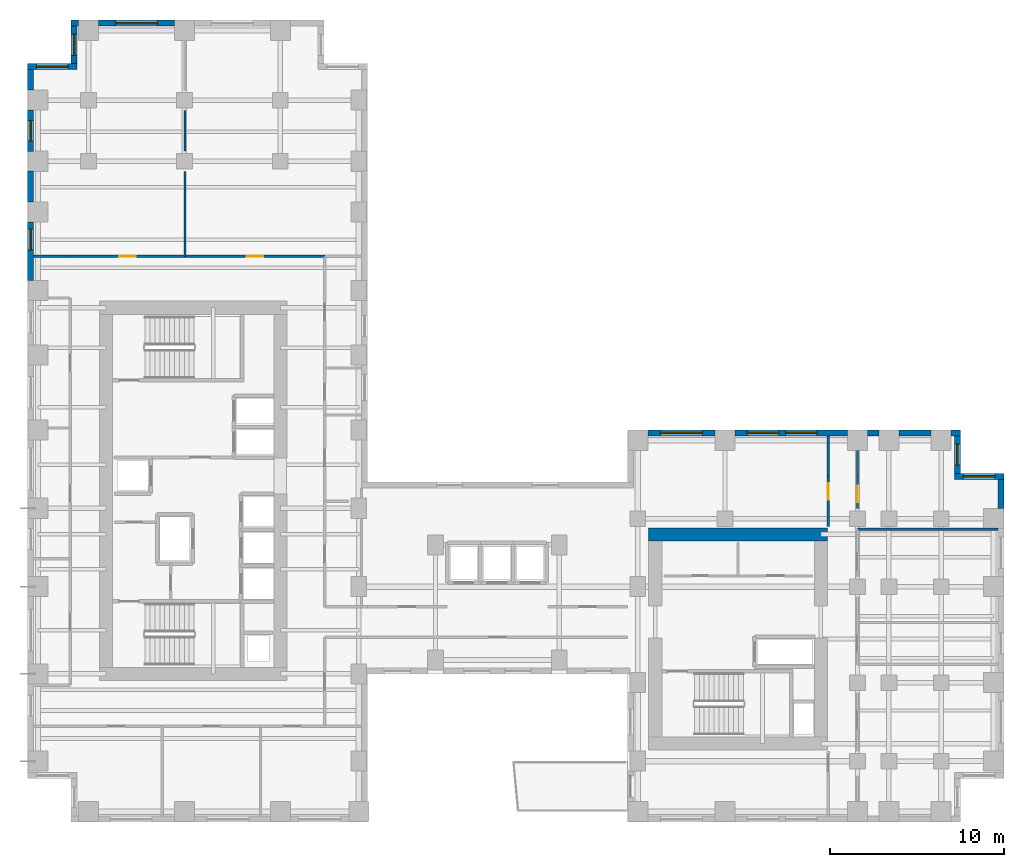
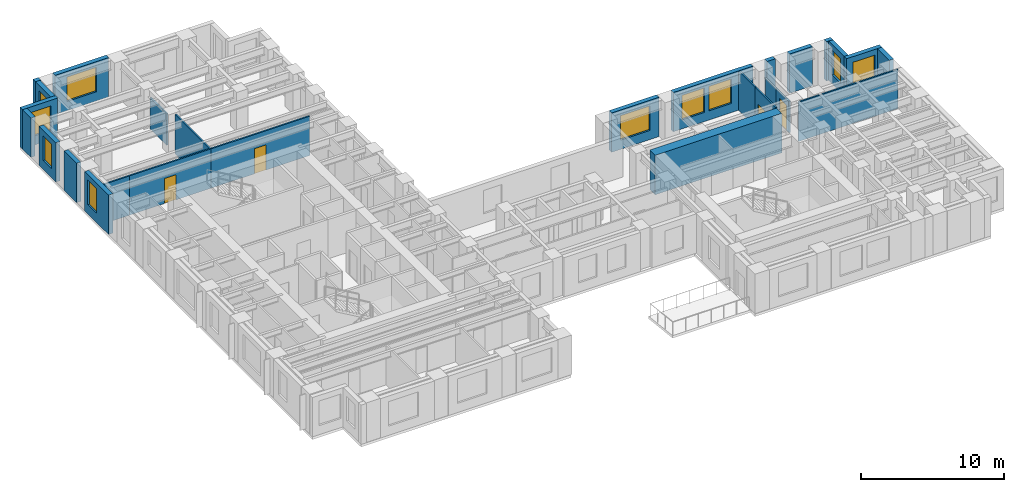
# One storey, part 8 of 12: 27 walls, 10 windows, 4 doors, 14 openings.
"""IFC4 building model written with IfcOpenShell, lengths in metres."""

from ifc_helpers import new_model, si_unit, direction, frame, frame_2d, origin, place, context, subcontext, project, spatial, rectangle, extrude, source, transform, mapped, material, layer, layer_set, type_object, element, fill, save


model = new_model("IFC4")

# Units and contexts
model_context = context("Model", 3, precision=1e-05, world=origin(), true_north=direction((0.0, 1.0)))
body_context = subcontext(model_context, "Body", "Model", "MODEL_VIEW")
ifc_project = project(units=[si_unit("LENGTHUNIT", "METRE"), si_unit("AREAUNIT", "SQUARE_METRE"), si_unit("VOLUMEUNIT", "CUBIC_METRE"), si_unit("PLANEANGLEUNIT", "RADIAN"), si_unit("MASSUNIT", "GRAM", prefix="KILO")], contexts=[model_context])

# Site, building, storey
site_placement = place(None, origin())
site = spatial("IfcSite", under=ifc_project, at=site_placement, CompositionType="ELEMENT")
building_placement = place(site_placement, origin())
building = spatial("IfcBuilding", under=site, at=building_placement, Name="Kharzan Plaza Tower", CompositionType="ELEMENT")
storey_placement = place(building_placement, frame((0.0, 0.0, 106.199951171875)))
storey = spatial("IfcBuildingStorey", under=building, at=storey_placement, Name="L28", CompositionType="ELEMENT", Elevation=106.199951171875)

# Wall, opening, window
ifc_material_1 = material(Name="Concrete C40/50", Category="concrete")
ifc_layer_1 = layer(ifc_material_1, 0.35009765625)
ifc_layer_set_1 = layer_set([ifc_layer_1], Name="Concrete C40/50")
wall_type_1 = type_object("IfcWallType", Name="WL-EXT-MAS-Z2", PredefinedType="SOLIDWALL", material=ifc_layer_set_1)
wall_1_placement = place(storey_placement, frame((8.427001953125, 45.824951171875, 0.0), z_axis=(0.0, 0.0, 1.0), x_axis=(-1.0, 0.0, 0.0)))
wall_1 = element("IfcWall", 1, at=wall_1_placement, inside=storey, type_object=wall_type_1, Name="L28 Masonry-Frame Exterior Wall 12", PredefinedType="SOLIDWALL", context=body_context, shape_type="SweptSolid", body=[
    extrude(rectangle(XDim=4.35400390625, YDim=0.35009765625, at=frame_2d((2.177001953125, 0.0))), origin(), (0.0, 0.0, 1.0), 3.364990234375),
])
opening_1_placement = place(wall_1_placement, frame((0.97705078125, 0.0, 0.780029296875)))
opening_1 = element("IfcOpeningElement", 2, at=opening_1_placement, cuts=wall_1, Name="Opening W2", PredefinedType="OPENING", context=body_context, shape_type="SweptSolid", body=[
    extrude(rectangle(XDim=2.39990234375, YDim=2.10009765625, at=frame_2d((1.199951171875, 1.050048828125))), frame((0.0, 0.18505859375, 0.0), z_axis=(0.0, -1.0, 0.0), x_axis=(1.0, 0.0, 0.0)), (0.0, 0.0, 1.0), 0.3701171875),
])
ifc_material_2 = material(Name="Low-E Double Glazing", Category="glass")
window_type_1 = type_object("IfcWindowType", Name="WN-REC-2400x2100", PartitioningType="SINGLE_PANEL", PredefinedType="WINDOW", material=ifc_material_2)
shared_shape_1 = source(origin(), body_context, "Body", "SweptSolid", [
    extrude(rectangle(XDim=2.39990234375, YDim=2.10009765625, at=frame_2d((1.199951171875, 1.050048828125))), frame((0.0, 0.030029296875, 0.0), z_axis=(0.0, -1.0, 0.0), x_axis=(1.0, 0.0, 0.0)), (0.0, 0.0, 1.0), 0.06005859375),
])
window_1_placement = place(opening_1_placement, origin())
window_1 = element("IfcWindow", 3, at=window_1_placement, inside=storey, type_object=window_type_1, Name="L28 Wide Recessed Solar-Control Window 12-1", OverallHeight=2.10009765625, OverallWidth=2.39990234375, PartitioningType="SINGLE_PANEL", PredefinedType="WINDOW", context=body_context, shape_type="MappedRepresentation", body=[
    mapped(shared_shape_1, transform((0.0, 0.0, 0.0), x_axis=(1.0, 0.0, 0.0), y_axis=(0.0, 1.0, 0.0), z_axis=(0.0, 0.0, 1.0))),
])
fill(opening_1, window_1)

wall_2_placement = place(storey_placement, frame((2.675048828125, 45.652099609375, 0.0), z_axis=(0.0, 0.0, 1.0), x_axis=(0.0, -1.0, 0.0)))
wall_2 = element("IfcWall", 4, at=wall_2_placement, inside=storey, type_object=wall_type_1, Name="L28 Masonry-Frame Exterior Wall 14", PredefinedType="SOLIDWALL", context=body_context, shape_type="SweptSolid", body=[
    extrude(rectangle(XDim=2.154052734375, YDim=0.35009765625, at=frame_2d((1.0771484375, 0.0))), origin(), (0.0, 0.0, 1.0), 3.364990234375),
])
opening_2_placement = place(wall_2_placement, frame((0.47705078125, 0.0, 0.780029296875)))
opening_2 = element("IfcOpeningElement", 5, at=opening_2_placement, cuts=wall_2, Name="Opening W3", PredefinedType="OPENING", context=body_context, shape_type="SweptSolid", body=[
    extrude(rectangle(XDim=1.199951171875, YDim=2.10009765625, at=frame_2d((0.60009765625, 1.050048828125))), frame((0.0, 0.18505859375, 0.0), z_axis=(0.0, -1.0, 0.0), x_axis=(1.0, 0.0, 0.0)), (0.0, 0.0, 1.0), 0.3701171875),
])
window_type_2 = type_object("IfcWindowType", Name="WN-REC-1200x2100", PartitioningType="SINGLE_PANEL", PredefinedType="WINDOW", material=ifc_material_2)
shared_shape_2 = source(origin(), body_context, "Body", "SweptSolid", [
    extrude(rectangle(XDim=1.199951171875, YDim=2.10009765625, at=frame_2d((0.60009765625, 1.050048828125))), frame((0.0, 0.030029296875, 0.0), z_axis=(0.0, -1.0, 0.0), x_axis=(1.0, 0.0, 0.0)), (0.0, 0.0, 1.0), 0.06005859375),
])
window_2_placement = place(opening_2_placement, origin())
window_2 = element("IfcWindow", 6, at=window_2_placement, inside=storey, type_object=window_type_2, Name="L28 Recessed Solar-Control Window 14-1", OverallHeight=2.10009765625, OverallWidth=1.199951171875, PartitioningType="SINGLE_PANEL", PredefinedType="WINDOW", context=body_context, shape_type="MappedRepresentation", body=[
    mapped(shared_shape_2, transform((0.0, 0.0, 0.0), x_axis=(1.0, 0.0, 0.0), y_axis=(0.0, 1.0, 0.0), z_axis=(0.0, 0.0, 1.0))),
])
fill(opening_2, window_2)

wall_3_placement = place(storey_placement, frame((2.85009765625, 43.324951171875, 0.0), z_axis=(0.0, 0.0, 1.0), x_axis=(-1.0, 0.0, 0.0)))
wall_3 = element("IfcWall", 7, at=wall_3_placement, inside=storey, type_object=wall_type_1, Name="L28 Masonry-Frame Exterior Wall 15", PredefinedType="SOLIDWALL", context=body_context, shape_type="SweptSolid", body=[
    extrude(rectangle(XDim=2.85009765625, YDim=0.35009765625, at=frame_2d((1.425048828125, 0.0))), origin(), (0.0, 0.0, 1.0), 3.364990234375),
])
opening_3_placement = place(wall_3_placement, frame((0.52490234375, 0.0, 0.780029296875)))
opening_3 = element("IfcOpeningElement", 8, at=opening_3_placement, cuts=wall_3, Name="Opening W1", PredefinedType="OPENING", context=body_context, shape_type="SweptSolid", body=[
    extrude(rectangle(XDim=1.800048828125, YDim=2.10009765625, at=frame_2d((0.89990234375, 1.050048828125))), frame((0.0, 0.18505859375, 0.0), z_axis=(0.0, -1.0, 0.0), x_axis=(1.0, 0.0, 0.0)), (0.0, 0.0, 1.0), 0.3701171875),
])
window_type_3 = type_object("IfcWindowType", Name="WN-REC-1800x2100", PartitioningType="SINGLE_PANEL", PredefinedType="WINDOW", material=ifc_material_2)
shared_shape_3 = source(origin(), body_context, "Body", "SweptSolid", [
    extrude(rectangle(XDim=1.800048828125, YDim=2.10009765625, at=frame_2d((0.89990234375, 1.050048828125))), frame((0.0, 0.030029296875, 0.0), z_axis=(0.0, -1.0, 0.0), x_axis=(1.0, 0.0, 0.0)), (0.0, 0.0, 1.0), 0.06005859375),
])
window_3_placement = place(opening_3_placement, origin())
window_3 = element("IfcWindow", 9, at=window_3_placement, inside=storey, type_object=window_type_3, Name="L28 Recessed Solar-Control Window 15-1", OverallHeight=2.10009765625, OverallWidth=1.800048828125, PartitioningType="SINGLE_PANEL", PredefinedType="WINDOW", context=body_context, shape_type="MappedRepresentation", body=[
    mapped(shared_shape_3, transform((0.0, 0.0, 0.0), x_axis=(1.0, 0.0, 0.0), y_axis=(0.0, 1.0, 0.0), z_axis=(0.0, 0.0, 1.0))),
])
fill(opening_3, window_3)

wall_4_placement = place(storey_placement, frame((0.175048828125, 40.826904296875, 0.0), z_axis=(0.0, 0.0, 1.0), x_axis=(0.0, -1.0, 0.0)))
wall_4 = element("IfcWall", 10, at=wall_4_placement, inside=storey, type_object=wall_type_1, Name="L28 Masonry-Frame Exterior Wall 17", PredefinedType="SOLIDWALL", context=body_context, shape_type="SweptSolid", body=[
    extrude(rectangle(XDim=2.35400390625, YDim=0.35009765625, at=frame_2d((1.177001953125, 0.0))), origin(), (0.0, 0.0, 1.0), 3.364990234375),
])
opening_4_placement = place(wall_4_placement, frame((0.576904296875, 0.0, 0.780029296875)))
opening_4 = element("IfcOpeningElement", 11, at=opening_4_placement, cuts=wall_4, Name="Opening W3", PredefinedType="OPENING", context=body_context, shape_type="SweptSolid", body=[
    extrude(rectangle(XDim=1.199951171875, YDim=2.10009765625, at=frame_2d((0.60009765625, 1.050048828125))), frame((0.0, 0.18505859375, 0.0), z_axis=(0.0, -1.0, 0.0), x_axis=(1.0, 0.0, 0.0)), (0.0, 0.0, 1.0), 0.3701171875),
])
window_4_placement = place(opening_4_placement, origin())
window_4 = element("IfcWindow", 12, at=window_4_placement, inside=storey, type_object=window_type_2, Name="L28 Recessed Solar-Control Window 17-1", OverallHeight=2.10009765625, OverallWidth=1.199951171875, PartitioningType="SINGLE_PANEL", PredefinedType="WINDOW", context=body_context, shape_type="MappedRepresentation", body=[
    mapped(shared_shape_2, transform((0.0, 0.0, 0.0), x_axis=(1.0, 0.0, 0.0), y_axis=(0.0, 1.0, 0.0), z_axis=(0.0, 0.0, 1.0))),
])
fill(opening_4, window_4)

wall_5_placement = place(storey_placement, frame((0.175048828125, 34.427001953125, 0.0), z_axis=(0.0, 0.0, 1.0), x_axis=(0.0, -1.0, 0.0)))
wall_5 = element("IfcWall", 13, at=wall_5_placement, inside=storey, type_object=wall_type_1, Name="L28 Masonry-Frame Exterior Wall 19", PredefinedType="SOLIDWALL", context=body_context, shape_type="SweptSolid", body=[
    extrude(rectangle(XDim=3.35400390625, YDim=0.35009765625, at=frame_2d((1.677001953125, 0.0))), origin(), (0.0, 0.0, 1.0), 3.364990234375),
])
opening_5_placement = place(wall_5_placement, frame((0.423583984375, 0.0, 0.780029296875)))
opening_5 = element("IfcOpeningElement", 14, at=opening_5_placement, cuts=wall_5, Name="Opening W3", PredefinedType="OPENING", context=body_context, shape_type="SweptSolid", body=[
    extrude(rectangle(XDim=1.199951171875, YDim=2.10009765625, at=frame_2d((0.60009765625, 1.050048828125))), frame((0.0, 0.18505859375, 0.0), z_axis=(0.0, -1.0, 0.0), x_axis=(1.0, 0.0, 0.0)), (0.0, 0.0, 1.0), 0.3701171875),
])
window_5_placement = place(opening_5_placement, origin())
window_5 = element("IfcWindow", 15, at=window_5_placement, inside=storey, type_object=window_type_2, Name="L28 Recessed Solar-Control Window 19-1", OverallHeight=2.10009765625, OverallWidth=1.199951171875, PartitioningType="SINGLE_PANEL", PredefinedType="WINDOW", context=body_context, shape_type="MappedRepresentation", body=[
    mapped(shared_shape_2, transform((0.0, 0.0, 0.0), x_axis=(1.0, 0.0, 0.0), y_axis=(0.0, 1.0, 0.0), z_axis=(0.0, 0.0, 1.0))),
])
fill(opening_5, window_5)

wall_6_placement = place(storey_placement, frame((56.0, 19.824951171875, 0.0), z_axis=(0.0, 0.0, 1.0), x_axis=(-1.0, 0.0, 0.0)))
wall_6 = element("IfcWall", 16, at=wall_6_placement, inside=storey, type_object=wall_type_1, Name="L28 Masonry-Frame Exterior Wall 50", PredefinedType="SOLIDWALL", context=body_context, shape_type="SweptSolid", body=[
    extrude(rectangle(XDim=2.85009765625, YDim=0.35009765625, at=frame_2d((1.425048828125, 0.0))), origin(), (0.0, 0.0, 1.0), 3.364990234375),
])
opening_6_placement = place(wall_6_placement, frame((0.52490234375, 0.0, 0.780029296875)))
opening_6 = element("IfcOpeningElement", 17, at=opening_6_placement, cuts=wall_6, Name="Opening W1", PredefinedType="OPENING", context=body_context, shape_type="SweptSolid", body=[
    extrude(rectangle(XDim=1.800048828125, YDim=2.10009765625, at=frame_2d((0.89990234375, 1.050048828125))), frame((0.0, 0.18505859375, 0.0), z_axis=(0.0, -1.0, 0.0), x_axis=(1.0, 0.0, 0.0)), (0.0, 0.0, 1.0), 0.3701171875),
])
window_6_placement = place(opening_6_placement, origin())
window_6 = element("IfcWindow", 18, at=window_6_placement, inside=storey, type_object=window_type_3, Name="L28 Recessed Solar-Control Window 50-1", OverallHeight=2.10009765625, OverallWidth=1.800048828125, PartitioningType="SINGLE_PANEL", PredefinedType="WINDOW", context=body_context, shape_type="MappedRepresentation", body=[
    mapped(shared_shape_3, transform((0.0, 0.0, 0.0), x_axis=(1.0, 0.0, 0.0), y_axis=(0.0, 1.0, 0.0), z_axis=(0.0, 0.0, 1.0))),
])
fill(opening_6, window_6)

wall_7_placement = place(storey_placement, frame((53.324951171875, 19.998046875, 0.0), z_axis=(0.0, 0.0, 1.0), x_axis=(0.0, 1.0, 0.0)))
wall_7 = element("IfcWall", 19, at=wall_7_placement, inside=storey, type_object=wall_type_1, Name="L28 Masonry-Frame Exterior Wall 51", PredefinedType="SOLIDWALL", context=body_context, shape_type="SweptSolid", body=[
    extrude(rectangle(XDim=2.154052734375, YDim=0.35009765625, at=frame_2d((1.0771484375, 0.0))), origin(), (0.0, 0.0, 1.0), 3.364990234375),
])
opening_7_placement = place(wall_7_placement, frame((0.47705078125, 0.0, 0.780029296875)))
opening_7 = element("IfcOpeningElement", 20, at=opening_7_placement, cuts=wall_7, Name="Opening W3", PredefinedType="OPENING", context=body_context, shape_type="SweptSolid", body=[
    extrude(rectangle(XDim=1.199951171875, YDim=2.10009765625, at=frame_2d((0.60009765625, 1.050048828125))), frame((0.0, 0.18505859375, 0.0), z_axis=(0.0, -1.0, 0.0), x_axis=(1.0, 0.0, 0.0)), (0.0, 0.0, 1.0), 0.3701171875),
])
window_7_placement = place(opening_7_placement, origin())
window_7 = element("IfcWindow", 21, at=window_7_placement, inside=storey, type_object=window_type_2, Name="L28 Recessed Solar-Control Window 51-1", OverallHeight=2.10009765625, OverallWidth=1.199951171875, PartitioningType="SINGLE_PANEL", PredefinedType="WINDOW", context=body_context, shape_type="MappedRepresentation", body=[
    mapped(shared_shape_2, transform((0.0, 0.0, 0.0), x_axis=(1.0, 0.0, 0.0), y_axis=(0.0, 1.0, 0.0), z_axis=(0.0, 0.0, 1.0))),
])
fill(opening_7, window_7)

# Wall, openings, windows
wall_8_placement = place(storey_placement, frame((47.027099609375, 22.324951171875, 0.0), z_axis=(0.0, 0.0, 1.0), x_axis=(-1.0, 0.0, 0.0)))
wall_8 = element("IfcWall", 22, at=wall_8_placement, inside=storey, type_object=wall_type_1, Name="L28 Masonry-Frame Exterior Wall 55", PredefinedType="SOLIDWALL", context=body_context, shape_type="SweptSolid", body=[
    extrude(rectangle(XDim=6.4541015625, YDim=0.35009765625, at=frame_2d((3.22705078125, 0.0))), origin(), (0.0, 0.0, 1.0), 3.364990234375),
])
opening_8_placement = place(wall_8_placement, frame((1.749267578125, 0.0, 0.780029296875)))
opening_8 = element("IfcOpeningElement", 23, at=opening_8_placement, cuts=wall_8, Name="Opening W1", PredefinedType="OPENING", context=body_context, shape_type="SweptSolid", body=[
    extrude(rectangle(XDim=1.800048828125, YDim=2.10009765625, at=frame_2d((0.89990234375, 1.050048828125))), frame((0.0, 0.18505859375, 0.0), z_axis=(0.0, -1.0, 0.0), x_axis=(1.0, 0.0, 0.0)), (0.0, 0.0, 1.0), 0.3701171875),
])
opening_9_placement = place(wall_8_placement, frame((3.941650390625, 0.0, 0.780029296875)))
opening_9 = element("IfcOpeningElement", 24, at=opening_9_placement, cuts=wall_8, Name="Opening W1", PredefinedType="OPENING", context=body_context, shape_type="SweptSolid", body=[
    extrude(rectangle(XDim=1.800048828125, YDim=2.10009765625, at=frame_2d((0.89990234375, 1.050048828125))), frame((0.0, 0.18505859375, 0.0), z_axis=(0.0, -1.0, 0.0), x_axis=(1.0, 0.0, 0.0)), (0.0, 0.0, 1.0), 0.3701171875),
])
window_8_placement = place(opening_8_placement, origin())
window_8 = element("IfcWindow", 25, at=window_8_placement, inside=storey, type_object=window_type_3, Name="L28 Recessed Solar-Control Window 55-1", OverallHeight=2.10009765625, OverallWidth=1.800048828125, PartitioningType="SINGLE_PANEL", PredefinedType="WINDOW", context=body_context, shape_type="MappedRepresentation", body=[
    mapped(shared_shape_3, transform((0.0, 0.0, 0.0), x_axis=(1.0, 0.0, 0.0), y_axis=(0.0, 1.0, 0.0), z_axis=(0.0, 0.0, 1.0))),
])
fill(opening_8, window_8)
window_9_placement = place(opening_9_placement, origin())
window_9 = element("IfcWindow", 26, at=window_9_placement, inside=storey, type_object=window_type_3, Name="L28 Recessed Solar-Control Window 55-2", OverallHeight=2.10009765625, OverallWidth=1.800048828125, PartitioningType="SINGLE_PANEL", PredefinedType="WINDOW", context=body_context, shape_type="MappedRepresentation", body=[
    mapped(shared_shape_3, transform((0.0, 0.0, 0.0), x_axis=(1.0, 0.0, 0.0), y_axis=(0.0, 1.0, 0.0), z_axis=(0.0, 0.0, 1.0))),
])
fill(opening_9, window_9)

# Wall, opening, window
wall_9_placement = place(storey_placement, frame((39.427001953125, 22.324951171875, 0.0), z_axis=(0.0, 0.0, 1.0), x_axis=(-1.0, 0.0, 0.0)))
wall_9 = element("IfcWall", 27, at=wall_9_placement, inside=storey, type_object=wall_type_1, Name="L28 Masonry-Frame Exterior Wall 56", PredefinedType="SOLIDWALL", context=body_context, shape_type="SweptSolid", body=[
    extrude(rectangle(XDim=3.85400390625, YDim=0.35009765625, at=frame_2d((1.927001953125, 0.0))), origin(), (0.0, 0.0, 1.0), 3.364990234375),
])
opening_10_placement = place(wall_9_placement, frame((0.72705078125, 0.0, 0.780029296875)))
opening_10 = element("IfcOpeningElement", 28, at=opening_10_placement, cuts=wall_9, Name="Opening W2", PredefinedType="OPENING", context=body_context, shape_type="SweptSolid", body=[
    extrude(rectangle(XDim=2.39990234375, YDim=2.10009765625, at=frame_2d((1.199951171875, 1.050048828125))), frame((0.0, 0.18505859375, 0.0), z_axis=(0.0, -1.0, 0.0), x_axis=(1.0, 0.0, 0.0)), (0.0, 0.0, 1.0), 0.3701171875),
])
window_10_placement = place(opening_10_placement, origin())
window_10 = element("IfcWindow", 29, at=window_10_placement, inside=storey, type_object=window_type_1, Name="L28 Wide Recessed Solar-Control Window 56-1", OverallHeight=2.10009765625, OverallWidth=2.39990234375, PartitioningType="SINGLE_PANEL", PredefinedType="WINDOW", context=body_context, shape_type="MappedRepresentation", body=[
    mapped(shared_shape_1, transform((0.0, 0.0, 0.0), x_axis=(1.0, 0.0, 0.0), y_axis=(0.0, 1.0, 0.0), z_axis=(0.0, 0.0, 1.0))),
])
fill(opening_10, window_10)

# Wall, opening, door
ifc_material_3 = material(Name="Fire-Rated Gypsum Board Partition", Category="gypsum")
ifc_layer_2 = layer(ifc_material_3, 0.125)
ifc_layer_set_2 = layer_set([ifc_layer_2], Name="Fire-Rated Gypsum Board Partition")
wall_type_2 = type_object("IfcWallType", Name="WL-INT-PART-125", PredefinedType="PARTITIONING", material=ifc_layer_set_2)
wall_10_placement = place(storey_placement, frame((47.60009765625, 17.989990234375, 0.0), z_axis=(0.0, 0.0, 1.0), x_axis=(0.0, 1.0, 0.0)))
wall_10 = element("IfcWall", 30, at=wall_10_placement, inside=storey, type_object=wall_type_2, Name="L28 Interior Partition SH-B1W2", PredefinedType="PARTITIONING", context=body_context, shape_type="SweptSolid", body=[
    extrude(rectangle(XDim=1.860107421875, YDim=0.125, at=frame_2d((0.93017578125, 0.0))), origin(), (0.0, 0.0, 1.0), 2.677001953125),
])
opening_11_placement = place(wall_10_placement, frame((0.36328125, 0.0, 0.0)))
opening_11 = element("IfcOpeningElement", 31, at=opening_11_placement, cuts=wall_10, Name="Opening OD1", PredefinedType="OPENING", context=body_context, shape_type="SweptSolid", body=[
    extrude(rectangle(XDim=0.949951171875, YDim=2.14990234375, at=frame_2d((0.47509765625, 1.074951171875))), frame((0.0, 0.072509765625, 0.0), z_axis=(0.0, -1.0, 0.0), x_axis=(1.0, 0.0, 0.0)), (0.0, 0.0, 1.0), 0.14501953125),
])
ifc_material_4 = material(Name="Acoustic Solid-Core Stained Oak", Category="timber")
door_type = type_object("IfcDoorType", Name="DR-OFF-SINGLE", OperationType="NOTDEFINED", PredefinedType="DOOR", material=ifc_material_4)
shared_shape_4 = source(origin(), body_context, "Body", "SweptSolid", [
    extrude(rectangle(XDim=0.949951171875, YDim=2.14990234375, at=frame_2d((0.47509765625, 1.074951171875))), frame((0.0, 0.02490234375, 0.0), z_axis=(0.0, -1.0, 0.0), x_axis=(1.0, 0.0, 0.0)), (0.0, 0.0, 1.0), 0.050048828125),
])
door_1_placement = place(opening_11_placement, origin())
door_1 = element("IfcDoor", 32, at=door_1_placement, inside=storey, type_object=door_type, Name="L28 Wing B North Office Door", OperationType="SINGLE_SWING_RIGHT", OverallHeight=2.14990234375, OverallWidth=0.949951171875, PredefinedType="DOOR", context=body_context, shape_type="MappedRepresentation", body=[
    mapped(shared_shape_4, transform((0.0, 0.0, 0.0), x_axis=(1.0, 0.0, 0.0), y_axis=(0.0, 1.0, 0.0), z_axis=(0.0, 0.0, 1.0))),
])
fill(opening_11, door_1)

wall_11_placement = place(storey_placement, frame((2.449951171875, 32.449951171875, 0.0), z_axis=(0.0, 0.0, 1.0), x_axis=(1.0, 0.0, 0.0)))
wall_11 = element("IfcWall", 33, at=wall_11_placement, inside=storey, type_object=wall_type_2, Name="L28 Interior Partition SH-NN-1", PredefinedType="PARTITIONING", context=body_context, shape_type="SweptSolid", body=[
    extrude(rectangle(XDim=6.589111328125, YDim=0.125, at=frame_2d((3.29443359375, 0.0))), origin(), (0.0, 0.0, 1.0), 3.364990234375),
])
opening_12_placement = place(wall_11_placement, frame((2.819580078125, 0.0, 0.0)))
opening_12 = element("IfcOpeningElement", 34, at=opening_12_placement, cuts=wall_11, Name="Opening OD1", PredefinedType="OPENING", context=body_context, shape_type="SweptSolid", body=[
    extrude(rectangle(XDim=0.949951171875, YDim=2.14990234375, at=frame_2d((0.47509765625, 1.074951171875))), frame((0.0, 0.072509765625, 0.0), z_axis=(0.0, -1.0, 0.0), x_axis=(1.0, 0.0, 0.0)), (0.0, 0.0, 1.0), 0.14501953125),
])
door_2_placement = place(opening_12_placement, origin())
door_2 = element("IfcDoor", 35, at=door_2_placement, inside=storey, type_object=door_type, Name="L28 Systems Planning Office Door", OperationType="SINGLE_SWING_LEFT", OverallHeight=2.14990234375, OverallWidth=0.949951171875, PredefinedType="DOOR", context=body_context, shape_type="MappedRepresentation", body=[
    mapped(shared_shape_4, transform((0.0, 0.0, 0.0), x_axis=(1.0, 0.0, 0.0), y_axis=(0.0, 1.0, 0.0), z_axis=(0.0, 0.0, 1.0))),
])
fill(opening_12, door_2)

wall_12_placement = place(storey_placement, frame((9.0390625, 32.449951171875, 0.0), z_axis=(0.0, 0.0, 1.0), x_axis=(1.0, 0.0, 0.0)))
wall_12 = element("IfcWall", 36, at=wall_12_placement, inside=storey, type_object=wall_type_2, Name="L28 Interior Partition SH-NN-2", PredefinedType="PARTITIONING", context=body_context, shape_type="SweptSolid", body=[
    extrude(rectangle(XDim=8.010986328125, YDim=0.125, at=frame_2d((4.00537109375, 0.0))), origin(), (0.0, 0.0, 1.0), 3.364990234375),
])
opening_13_placement = place(wall_12_placement, frame((3.530517578125, 0.0, 0.0)))
opening_13 = element("IfcOpeningElement", 37, at=opening_13_placement, cuts=wall_12, Name="Opening OD1", PredefinedType="OPENING", context=body_context, shape_type="SweptSolid", body=[
    extrude(rectangle(XDim=0.949951171875, YDim=2.14990234375, at=frame_2d((0.47509765625, 1.074951171875))), frame((0.0, 0.072509765625, 0.0), z_axis=(0.0, -1.0, 0.0), x_axis=(1.0, 0.0, 0.0)), (0.0, 0.0, 1.0), 0.14501953125),
])
door_3_placement = place(opening_13_placement, origin())
door_3 = element("IfcDoor", 38, at=door_3_placement, inside=storey, type_object=door_type, Name="L28 Open Office Workspace Door", OperationType="SINGLE_SWING_RIGHT", OverallHeight=2.14990234375, OverallWidth=0.949951171875, PredefinedType="DOOR", context=body_context, shape_type="MappedRepresentation", body=[
    mapped(shared_shape_4, transform((0.0, 0.0, 0.0), x_axis=(1.0, 0.0, 0.0), y_axis=(0.0, 1.0, 0.0), z_axis=(0.0, 0.0, 1.0))),
])
fill(opening_13, door_3)

wall_13_placement = place(storey_placement, frame((45.919921875, 16.949951171875, 0.0), z_axis=(0.0, 0.0, 1.0), x_axis=(0.0, 1.0, 0.0)))
wall_13 = element("IfcWall", 39, at=wall_13_placement, inside=storey, type_object=wall_type_2, Name="L28 Interior Partition SH-RBNE", PredefinedType="PARTITIONING", context=body_context, shape_type="SweptSolid", body=[
    extrude(rectangle(XDim=2.900146484375, YDim=0.125, at=frame_2d((1.4501953125, 0.0))), origin(), (0.0, 0.0, 1.0), 3.364990234375),
])
opening_14_placement = place(wall_13_placement, frame((1.54296875, 0.0, 0.0)))
opening_14 = element("IfcOpeningElement", 40, at=opening_14_placement, cuts=wall_13, Name="Opening OD1", PredefinedType="OPENING", context=body_context, shape_type="SweptSolid", body=[
    extrude(rectangle(XDim=0.949951171875, YDim=2.14990234375, at=frame_2d((0.47509765625, 1.074951171875))), frame((0.0, 0.072509765625, 0.0), z_axis=(0.0, -1.0, 0.0), x_axis=(1.0, 0.0, 0.0)), (0.0, 0.0, 1.0), 0.14501953125),
])
door_4_placement = place(opening_14_placement, origin())
door_4 = element("IfcDoor", 41, at=door_4_placement, inside=storey, type_object=door_type, Name="L28 Wing B North Studio Door", OperationType="SINGLE_SWING_RIGHT", OverallHeight=2.14990234375, OverallWidth=0.949951171875, PredefinedType="DOOR", context=body_context, shape_type="MappedRepresentation", body=[
    mapped(shared_shape_4, transform((0.0, 0.0, 0.0), x_axis=(1.0, 0.0, 0.0), y_axis=(0.0, 1.0, 0.0), z_axis=(0.0, 0.0, 1.0))),
])
fill(opening_14, door_4)

# Walls
shared_shape_5 = source(origin(), body_context, "Body", "SweptSolid", [
    extrude(rectangle(XDim=2.2978515625, YDim=0.125, at=frame_2d((1.14892578125, 0.0))), origin(), (0.0, 0.0, 1.0), 3.364990234375),
])
wall_14_placement = place(storey_placement, frame((45.919921875, 19.85009765625, 0.0), z_axis=(0.0, 0.0, 1.0), x_axis=(0.0, 1.0, 0.0)))
element("IfcWall", 42, at=wall_14_placement, inside=storey, type_object=wall_type_2, Name="L28 Interior Partition SH-RBNE0", PredefinedType="PARTITIONING", context=body_context, shape_type="MappedRepresentation", body=[
    mapped(shared_shape_5, transform((0.0, 0.0, 0.0), x_axis=(1.0, 0.0, 0.0), y_axis=(0.0, 1.0, 0.0), z_axis=(0.0, 0.0, 1.0))),
])
shared_shape_6 = source(origin(), body_context, "Body", "SweptSolid", [
    extrude(rectangle(XDim=2.097900390625, YDim=0.125, at=frame_2d((1.048828125, 0.0))), origin(), (0.0, 0.0, 1.0), 3.364990234375),
])
wall_15_placement = place(storey_placement, frame((0.35205078125, 32.449951171875, 0.0), z_axis=(0.0, 0.0, 1.0), x_axis=(1.0, 0.0, 0.0)))
element("IfcWall", 43, at=wall_15_placement, inside=storey, type_object=wall_type_2, Name="L28 Interior Partition SH-NNW0", PredefinedType="PARTITIONING", context=body_context, shape_type="MappedRepresentation", body=[
    mapped(shared_shape_6, transform((0.0, 0.0, 0.0), x_axis=(1.0, 0.0, 0.0), y_axis=(0.0, 1.0, 0.0), z_axis=(0.0, 0.0, 1.0))),
])
ifc_material_5 = material(Name="Concrete C60/75", Category="concrete")
ifc_layer_3 = layer(ifc_material_5, 0.75)
ifc_layer_set_3 = layer_set([ifc_layer_3], Name="Concrete C60/75")
wall_type_3 = type_object("IfcWallType", Name="WL-CORE-750", PredefinedType="SHEAR", material=ifc_layer_set_3)
shared_shape_7 = source(origin(), body_context, "Body", "SweptSolid", [
    extrude(rectangle(XDim=10.25, YDim=0.75, at=frame_2d((5.125, 0.0))), origin(), (0.0, 0.0, 1.0), 3.380126953125),
])
wall_16_placement = place(storey_placement, frame((35.625, 16.5, 0.0), z_axis=(0.0, 0.0, 1.0), x_axis=(1.0, 0.0, 0.0)))
element("IfcWall", 44, at=wall_16_placement, inside=storey, type_object=wall_type_3, Name="L28 CORE-B north RC shear wall", PredefinedType="SHEAR", context=body_context, shape_type="MappedRepresentation", body=[
    mapped(shared_shape_7, transform((0.0, 0.0, 0.0), x_axis=(1.0, 0.0, 0.0), y_axis=(0.0, 1.0, 0.0), z_axis=(0.0, 0.0, 1.0))),
])
shared_shape_8 = source(origin(), body_context, "Body", "SweptSolid", [
    extrude(rectangle(XDim=0.427001953125, YDim=0.35009765625, at=frame_2d((0.21337890625, 0.0))), origin(), (0.0, 0.0, 1.0), 3.364990234375),
])
wall_17_placement = place(storey_placement, frame((2.927001953125, 45.824951171875, 0.0), z_axis=(0.0, 0.0, 1.0), x_axis=(-1.0, 0.0, 0.0)))
element("IfcWall", 45, at=wall_17_placement, inside=storey, type_object=wall_type_1, Name="L28 Masonry-Frame Exterior Wall 13", PredefinedType="SOLIDWALL", context=body_context, shape_type="MappedRepresentation", body=[
    mapped(shared_shape_8, transform((0.0, 0.0, 0.0), x_axis=(1.0, 0.0, 0.0), y_axis=(0.0, 1.0, 0.0), z_axis=(0.0, 0.0, 1.0))),
])
shared_shape_9 = source(origin(), body_context, "Body", "SweptSolid", [
    extrude(rectangle(XDim=1.17919921875, YDim=0.35009765625, at=frame_2d((0.589599609375, 0.0))), origin(), (0.0, 0.0, 1.0), 3.364990234375),
])
wall_18_placement = place(storey_placement, frame((0.175048828125, 43.152099609375, 0.0), z_axis=(0.0, 0.0, 1.0), x_axis=(0.0, -1.0, 0.0)))
element("IfcWall", 46, at=wall_18_placement, inside=storey, type_object=wall_type_1, Name="L28 Masonry-Frame Exterior Wall 16", PredefinedType="SOLIDWALL", context=body_context, shape_type="MappedRepresentation", body=[
    mapped(shared_shape_9, transform((0.0, 0.0, 0.0), x_axis=(1.0, 0.0, 0.0), y_axis=(0.0, 1.0, 0.0), z_axis=(0.0, 0.0, 1.0))),
])
shared_shape_10 = source(origin(), body_context, "Body", "SweptSolid", [
    extrude(rectangle(XDim=1.75390625, YDim=0.35009765625, at=frame_2d((0.876953125, 0.0))), origin(), (0.0, 0.0, 1.0), 3.364990234375),
])
wall_19_placement = place(storey_placement, frame((0.175048828125, 37.326904296875, 0.0), z_axis=(0.0, 0.0, 1.0), x_axis=(0.0, -1.0, 0.0)))
element("IfcWall", 47, at=wall_19_placement, inside=storey, type_object=wall_type_1, Name="L28 Masonry-Frame Exterior Wall 18", PredefinedType="SOLIDWALL", context=body_context, shape_type="MappedRepresentation", body=[
    mapped(shared_shape_10, transform((0.0, 0.0, 0.0), x_axis=(1.0, 0.0, 0.0), y_axis=(0.0, 1.0, 0.0), z_axis=(0.0, 0.0, 1.0))),
])
shared_shape_11 = source(origin(), body_context, "Body", "SweptSolid", [
    extrude(rectangle(XDim=0.65380859375, YDim=0.35009765625, at=frame_2d((0.326904296875, 0.0))), origin(), (0.0, 0.0, 1.0), 3.364990234375),
])
wall_20_placement = place(storey_placement, frame((48.826904296875, 22.324951171875, 0.0), z_axis=(0.0, 0.0, 1.0), x_axis=(-1.0, 0.0, 0.0)))
element("IfcWall", 48, at=wall_20_placement, inside=storey, type_object=wall_type_1, Name="L28 Masonry-Frame Exterior Wall 54", PredefinedType="SOLIDWALL", context=body_context, shape_type="MappedRepresentation", body=[
    mapped(shared_shape_11, transform((0.0, 0.0, 0.0), x_axis=(1.0, 0.0, 0.0), y_axis=(0.0, 1.0, 0.0), z_axis=(0.0, 0.0, 1.0))),
])
shared_shape_12 = source(origin(), body_context, "Body", "SweptSolid", [
    extrude(rectangle(XDim=1.85400390625, YDim=0.35009765625, at=frame_2d((0.927001953125, 0.0))), origin(), (0.0, 0.0, 1.0), 3.364990234375),
])
wall_21_placement = place(storey_placement, frame((51.826904296875, 22.324951171875, 0.0), z_axis=(0.0, 0.0, 1.0), x_axis=(-1.0, 0.0, 0.0)))
element("IfcWall", 49, at=wall_21_placement, inside=storey, type_object=wall_type_1, Name="L28 Masonry-Frame Exterior Wall 53", PredefinedType="SOLIDWALL", context=body_context, shape_type="MappedRepresentation", body=[
    mapped(shared_shape_12, transform((0.0, 0.0, 0.0), x_axis=(1.0, 0.0, 0.0), y_axis=(0.0, 1.0, 0.0), z_axis=(0.0, 0.0, 1.0))),
])
shared_shape_13 = source(origin(), body_context, "Body", "SweptSolid", [
    extrude(rectangle(XDim=0.527099609375, YDim=0.35009765625, at=frame_2d((0.263671875, 0.0))), origin(), (0.0, 0.0, 1.0), 3.364990234375),
])
wall_22_placement = place(storey_placement, frame((53.5, 22.324951171875, 0.0), z_axis=(0.0, 0.0, 1.0), x_axis=(-1.0, 0.0, 0.0)))
element("IfcWall", 50, at=wall_22_placement, inside=storey, type_object=wall_type_1, Name="L28 Masonry-Frame Exterior Wall 52", PredefinedType="SOLIDWALL", context=body_context, shape_type="MappedRepresentation", body=[
    mapped(shared_shape_13, transform((0.0, 0.0, 0.0), x_axis=(1.0, 0.0, 0.0), y_axis=(0.0, 1.0, 0.0), z_axis=(0.0, 0.0, 1.0))),
])
shared_shape_14 = source(origin(), body_context, "Body", "SweptSolid", [
    extrude(rectangle(XDim=1.67919921875, YDim=0.35009765625, at=frame_2d((0.839599609375, 0.0))), origin(), (0.0, 0.0, 1.0), 3.364990234375),
])
wall_23_placement = place(storey_placement, frame((55.824951171875, 17.972900390625, 0.0), z_axis=(0.0, 0.0, 1.0), x_axis=(0.0, 1.0, 0.0)))
element("IfcWall", 51, at=wall_23_placement, inside=storey, type_object=wall_type_1, Name="L28 Masonry-Frame Exterior Wall 49", PredefinedType="SOLIDWALL", context=body_context, shape_type="MappedRepresentation", body=[
    mapped(shared_shape_14, transform((0.0, 0.0, 0.0), x_axis=(1.0, 0.0, 0.0), y_axis=(0.0, 1.0, 0.0), z_axis=(0.0, 0.0, 1.0))),
])
shared_shape_15 = source(origin(), body_context, "Body", "SweptSolid", [
    extrude(rectangle(XDim=8.0478515625, YDim=0.125, at=frame_2d((4.02392578125, 0.0))), origin(), (0.0, 0.0, 1.0), 3.364990234375),
])
wall_24_placement = place(storey_placement, frame((47.60009765625, 16.800048828125, 0.0), z_axis=(0.0, 0.0, 1.0), x_axis=(1.0, 0.0, 0.0)))
element("IfcWall", 52, at=wall_24_placement, inside=storey, type_object=wall_type_2, Name="L28 Interior Partition SH-B1H-168", PredefinedType="PARTITIONING", context=body_context, shape_type="MappedRepresentation", body=[
    mapped(shared_shape_15, transform((0.0, 0.0, 0.0), x_axis=(1.0, 0.0, 0.0), y_axis=(0.0, 1.0, 0.0), z_axis=(0.0, 0.0, 1.0))),
])
shared_shape_16 = source(origin(), body_context, "Body", "SweptSolid", [
    extrude(rectangle(XDim=1.4599609375, YDim=0.125, at=frame_2d((0.72998046875, 0.0))), origin(), (0.0, 0.0, 1.0), 2.677001953125),
])
wall_25_placement = place(storey_placement, frame((47.60009765625, 19.85009765625, 0.0), z_axis=(0.0, 0.0, 1.0), x_axis=(0.0, 1.0, 0.0)))
element("IfcWall", 53, at=wall_25_placement, inside=storey, type_object=wall_type_2, Name="L28 Interior Partition SH-B1W2N", PredefinedType="PARTITIONING", context=body_context, shape_type="MappedRepresentation", body=[
    mapped(shared_shape_16, transform((0.0, 0.0, 0.0), x_axis=(1.0, 0.0, 0.0), y_axis=(0.0, 1.0, 0.0), z_axis=(0.0, 0.0, 1.0))),
])
shared_shape_17 = source(origin(), body_context, "Body", "SweptSolid", [
    extrude(rectangle(XDim=4.860107421875, YDim=0.125, at=frame_2d((2.43017578125, 0.0))), origin(), (0.0, 0.0, 1.0), 3.364990234375),
])
wall_26_placement = place(storey_placement, frame((9.0390625, 32.449951171875, 0.0), z_axis=(0.0, 0.0, 1.0), x_axis=(0.0, 1.0, 0.0)))
element("IfcWall", 54, at=wall_26_placement, inside=storey, type_object=wall_type_2, Name="L28 Interior Partition SH-NV-1-S1", PredefinedType="PARTITIONING", context=body_context, shape_type="MappedRepresentation", body=[
    mapped(shared_shape_17, transform((0.0, 0.0, 0.0), x_axis=(1.0, 0.0, 0.0), y_axis=(0.0, 1.0, 0.0), z_axis=(0.0, 0.0, 1.0))),
])
shared_shape_18 = source(origin(), body_context, "Body", "SweptSolid", [
    extrude(rectangle(XDim=2.320068359375, YDim=0.125, at=frame_2d((1.16015625, 0.0))), origin(), (0.0, 0.0, 1.0), 2.677001953125),
])
wall_27_placement = place(storey_placement, frame((9.0390625, 38.489990234375, 0.0), z_axis=(0.0, 0.0, 1.0), x_axis=(0.0, 1.0, 0.0)))
element("IfcWall", 55, at=wall_27_placement, inside=storey, type_object=wall_type_2, Name="L28 Interior Partition SH-NV-1-S2", PredefinedType="PARTITIONING", context=body_context, shape_type="MappedRepresentation", body=[
    mapped(shared_shape_18, transform((0.0, 0.0, 0.0), x_axis=(1.0, 0.0, 0.0), y_axis=(0.0, 1.0, 0.0), z_axis=(0.0, 0.0, 1.0))),
])

save(model, "model.ifc")
